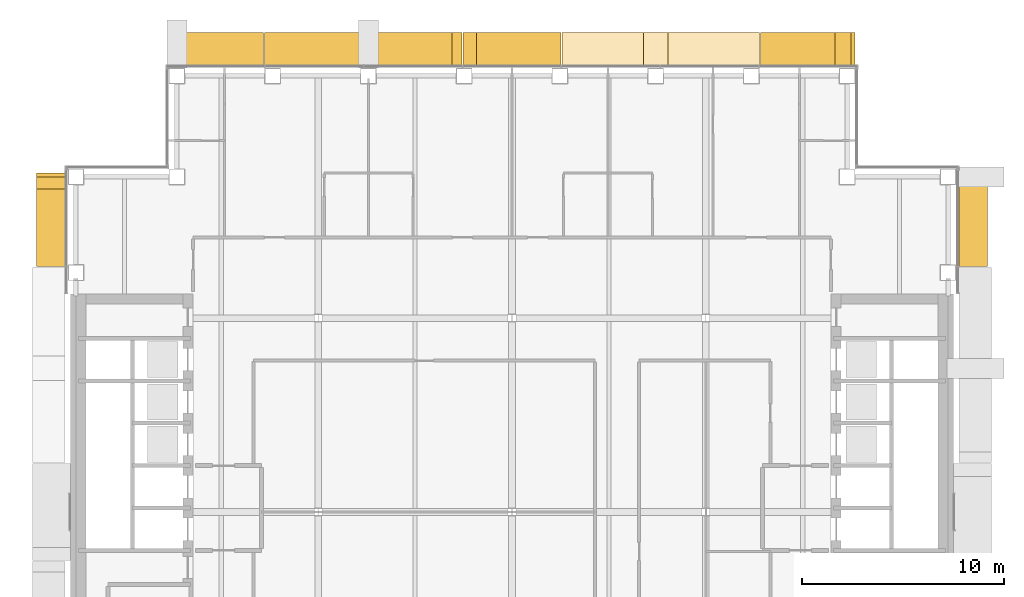
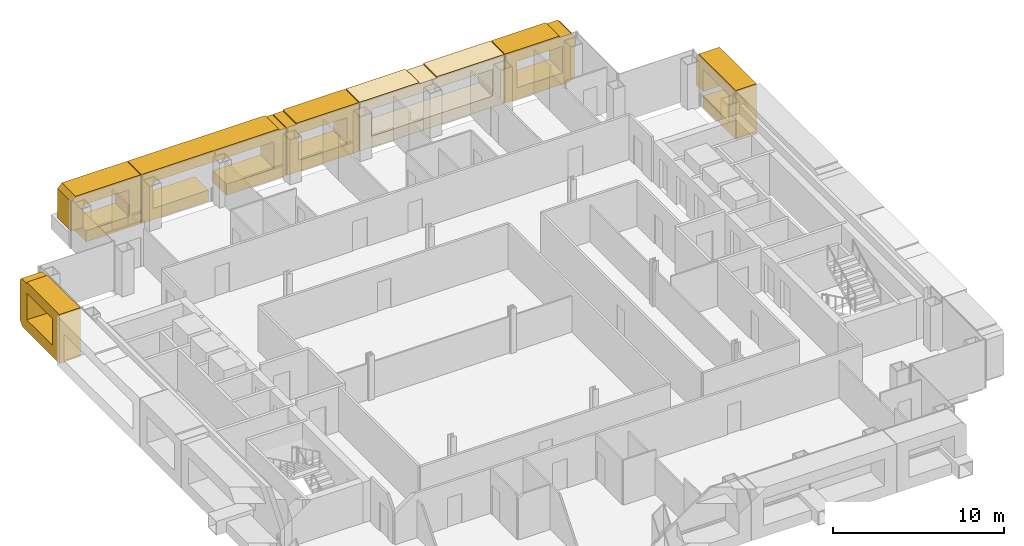
# One storey, part 20 of 21: 7 coverings.
"""IFC4 building model written with IfcOpenShell, lengths in metres."""

from ifc_helpers import new_model, si_unit, direction, frame, origin, place, context, subcontext, project, spatial, polyline, outline, extrude, material, type_object, element, save


model = new_model("IFC4")

# Units and contexts
model_context = context("Model", 3, precision=1e-05, world=origin(), true_north=direction((0.0, 1.0)))
body_context = subcontext(model_context, "Body", "Model", "MODEL_VIEW")
ifc_project = project(units=[si_unit("LENGTHUNIT", "METRE"), si_unit("AREAUNIT", "SQUARE_METRE"), si_unit("VOLUMEUNIT", "CUBIC_METRE"), si_unit("PLANEANGLEUNIT", "RADIAN"), si_unit("MASSUNIT", "GRAM", prefix="KILO")], contexts=[model_context])

# Site, building, storey
site_placement = place(None, origin())
site = spatial("IfcSite", under=ifc_project, at=site_placement, CompositionType="ELEMENT")
building_placement = place(site_placement, origin())
building = spatial("IfcBuilding", under=site, at=building_placement, Name="Cobrizo Arcos Hotel Tower", CompositionType="ELEMENT")
storey_placement = place(building_placement, frame((0.0, 0.0, 183.0)))
storey = spatial("IfcBuildingStorey", under=building, at=storey_placement, Name="L47", CompositionType="ELEMENT", Elevation=183.0)

# Coverings
ifc_material = material(Name="Aluminium 6063-T6 anodised bronze", Category="aluminium")
covering_type_1 = type_object("IfcCoveringType", Name="FIN-F 1400", PredefinedType="CLADDING", material=ifc_material)
covering_1_placement = place(storey_placement, frame((22.14990234375, 12.16796875, 0.0), z_axis=(1.0, 0.0, 0.0), x_axis=(0.0, 1.0, 0.0)))
element("IfcCovering", 1, at=covering_1_placement, inside=storey, type_object=covering_type_1, Name="Fin frame 230", PredefinedType="CLADDING", context=body_context, shape_type="SweptSolid", body=[
    extrude(outline(polyline([(0.0, 0.0), (3.830078125, 0.0), (3.830078125, 0.800048828125), (0.800048828125, 0.800048828125), (0.800048828125, 2.699951171875), (3.83203125, 2.699951171875), (3.83203125, 1.10205078125), (4.632080078125, 1.10205078125), (4.632080078125, 3.199951171875), (4.33203125, 3.5), (0.0, 3.5), (0.0, 0.0)])), origin(), (0.0, 0.0, 1.0), 1.400146484375),
])
covering_2_placement = place(storey_placement, frame((-22.14990234375, 16.800048828125, 0.0), z_axis=(-1.0, 0.0, 0.0), x_axis=(0.0, -1.0, 0.0)))
element("IfcCovering", 2, at=covering_2_placement, inside=storey, type_object=covering_type_1, Name="Fin frame 286", PredefinedType="CLADDING", context=body_context, shape_type="SweptSolid", body=[
    extrude(outline(polyline([(4.632080078125, 3.5), (0.802001953125, 3.5), (0.802001953125, 3.39794921875), (0.197998046875, 3.39794921875), (0.0, 3.199951171875), (0.0, 0.300048828125), (0.300048828125, 0.0), (4.632080078125, 0.0), (4.632080078125, 3.5)]), holes=[polyline([(3.83203125, 0.800048828125), (0.800048828125, 0.800048828125), (0.800048828125, 2.699951171875), (3.83203125, 2.699951171875), (3.83203125, 0.800048828125)])]), origin(), (0.0, 0.0, 1.0), 1.400146484375),
])
covering_type_2 = type_object("IfcCoveringType", Name="FIN-F 1600", PredefinedType="CLADDING", material=ifc_material)
covering_3_placement = place(storey_placement, frame((17.0, 22.14990234375, 0.0), z_axis=(0.0, 1.0, 0.0), x_axis=(-1.0, 0.0, 0.0)))
element("IfcCovering", 3, at=covering_3_placement, inside=storey, type_object=covering_type_2, Name="Fin frame 196", PredefinedType="CLADDING", context=body_context, shape_type="SweptSolid", body=[
    extrude(outline(polyline([(4.689208984375, 3.5), (1.001953125, 3.5), (1.001953125, 3.39794921875), (0.197998046875, 3.39794921875), (0.0, 3.199951171875), (0.0, 0.300048828125), (0.300048828125, 0.0), (4.689208984375, 0.0), (4.689208984375, 3.5)]), holes=[polyline([(3.889404296875, 0.800048828125), (0.800048828125, 0.800048828125), (0.800048828125, 2.699951171875), (3.889404296875, 2.699951171875), (3.889404296875, 0.800048828125)])]), origin(), (0.0, 0.0, 1.0), 1.60009765625),
])
covering_4_placement = place(storey_placement, frame((12.2607421875, 22.14990234375, 0.0), z_axis=(0.0, 1.0, 0.0), x_axis=(-1.0, 0.0, 0.0)))
element("IfcCovering", 4, at=covering_4_placement, inside=storey, type_object=covering_type_2, Name="Fin frame 197", PredefinedType="CLADDING", context=body_context, shape_type="SweptSolid", body=[
    extrude(outline(polyline([(9.778564453125, 3.5), (5.748291015625, 3.5), (5.748291015625, 3.39794921875), (4.54443359375, 3.39794921875), (4.54443359375, 3.5), (0.0, 3.5), (0.0, 0.0), (9.778564453125, 0.0), (9.778564453125, 3.5)]), holes=[polyline([(8.978515625, 0.800048828125), (0.800048828125, 0.800048828125), (0.800048828125, 2.699951171875), (8.978515625, 2.699951171875), (8.978515625, 0.800048828125)])]), origin(), (0.0, 0.0, 1.0), 1.60009765625),
])
covering_5_placement = place(storey_placement, frame((2.43212890625, 22.14990234375, 0.0), z_axis=(0.0, 1.0, 0.0), x_axis=(-1.0, 0.0, 0.0)))
element("IfcCovering", 5, at=covering_5_placement, inside=storey, type_object=covering_type_2, Name="Fin frame 198", PredefinedType="CLADDING", context=body_context, shape_type="SweptSolid", body=[
    extrude(outline(polyline([(4.8642578125, 0.0), (4.8642578125, 3.39794921875), (4.201416015625, 3.39794921875), (4.201416015625, 3.5), (0.0, 3.5), (0.0, 0.0), (4.8642578125, 0.0)]), holes=[polyline([(4.064208984375, 0.800048828125), (0.800048828125, 0.800048828125), (0.800048828125, 2.699951171875), (4.064208984375, 2.699951171875), (4.064208984375, 0.800048828125)])]), origin(), (0.0, 0.0, 1.0), 1.60009765625),
])
covering_6_placement = place(storey_placement, frame((-2.482177734375, 22.14990234375, 0.0), z_axis=(0.0, 1.0, 0.0), x_axis=(-1.0, 0.0, 0.0)))
element("IfcCovering", 6, at=covering_6_placement, inside=storey, type_object=covering_type_2, Name="Fin frame 199", PredefinedType="CLADDING", context=body_context, shape_type="SweptSolid", body=[
    extrude(outline(polyline([(0.0, 0.0), (4.0302734375, 0.0), (4.0302734375, 0.800048828125), (0.800048828125, 0.800048828125), (0.800048828125, 2.699951171875), (8.978515625, 2.699951171875), (8.978515625, 0.800048828125), (5.234130859375, 0.800048828125), (5.234130859375, 0.0), (9.778564453125, 0.0), (9.778564453125, 3.5), (0.4912109375, 3.5), (0.4912109375, 3.39794921875), (0.0, 3.39794921875), (0.0, 0.0)])), origin(), (0.0, 0.0, 1.0), 1.60009765625),
])
covering_7_placement = place(storey_placement, frame((-12.310791015625, 22.14990234375, 0.0), z_axis=(0.0, 1.0, 0.0), x_axis=(-1.0, 0.0, 0.0)))
element("IfcCovering", 7, at=covering_7_placement, inside=storey, type_object=covering_type_2, Name="Fin frame 200", PredefinedType="CLADDING", context=body_context, shape_type="SweptSolid", body=[
    extrude(outline(polyline([(0.0, 0.0), (3.687255859375, 0.0), (3.687255859375, 0.800048828125), (0.800048828125, 0.800048828125), (0.800048828125, 2.699951171875), (3.889404296875, 2.699951171875), (3.889404296875, 1.10205078125), (4.689208984375, 1.10205078125), (4.689208984375, 3.199951171875), (4.389404296875, 3.5), (0.0, 3.5), (0.0, 0.0)])), origin(), (0.0, 0.0, 1.0), 1.60009765625),
])

save(model, "model.ifc")
